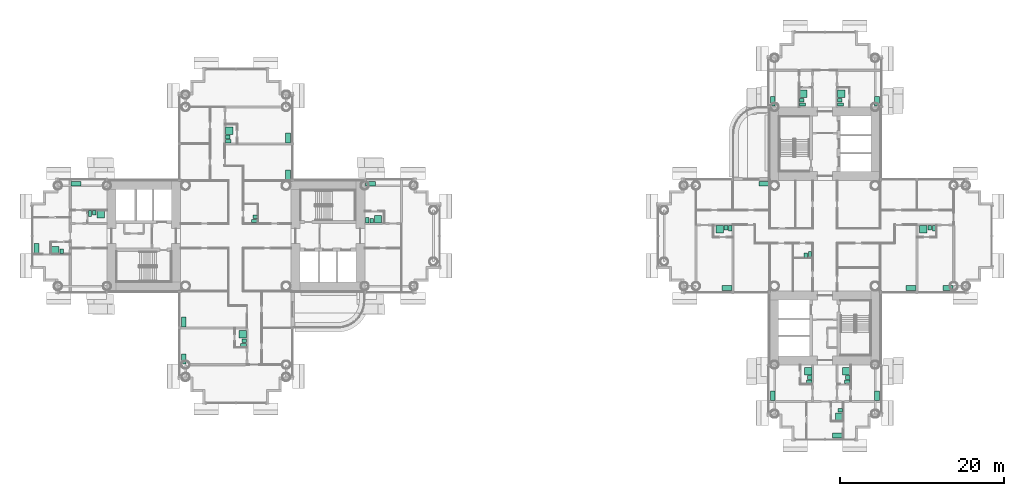
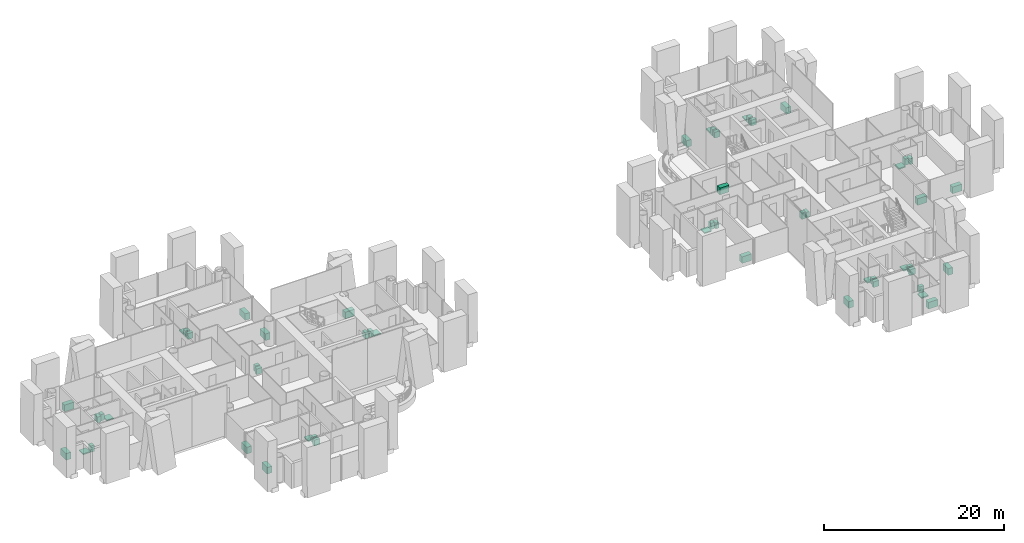
# One storey, part 23 of 23: 54 sanitary terminals.
"""IFC4 building model written with IfcOpenShell, lengths in metres."""

from ifc_helpers import new_model, si_unit, direction, frame, origin, origin_2d, place, context, subcontext, project, spatial, rectangle, extrude, material, type_object, element, save


model = new_model("IFC4")

# Units and contexts
model_context = context("Model", 3, precision=1e-05, world=origin(), true_north=direction((0.0, 1.0)))
body_context = subcontext(model_context, "Body", "Model", "MODEL_VIEW")
ifc_project = project(units=[si_unit("LENGTHUNIT", "METRE"), si_unit("AREAUNIT", "SQUARE_METRE"), si_unit("VOLUMEUNIT", "CUBIC_METRE"), si_unit("PLANEANGLEUNIT", "RADIAN"), si_unit("MASSUNIT", "GRAM", prefix="KILO")], contexts=[model_context])

# Site, building, storey
site_placement = place(None, origin())
site = spatial("IfcSite", under=ifc_project, at=site_placement, CompositionType="ELEMENT")
building_placement = place(site_placement, origin())
building = spatial("IfcBuilding", under=site, at=building_placement, Name="Ipe Terrace Towers", CompositionType="ELEMENT")
storey_placement = place(building_placement, frame((0.0, 0.0, 44.89990234375)))
storey = spatial("IfcBuildingStorey", under=building, at=storey_placement, Name="L11", CompositionType="ELEMENT", Elevation=44.89990234375)

# Sanitary terminals
ifc_material_1 = material(Name="Stainless sink unit", Category="metal")
sanitary_terminal_type_1 = type_object("IfcSanitaryTerminalType", Name="Kitchen sink unit", PredefinedType="SINK", material=ifc_material_1)
for number, where, z_axis, x_axis, name in (
    (1, (-29.6201171875, 7.469970703125, 0.000244140625), (0.0, 0.0, 1.0), (0.0, -1.0, 0.0), "Kitchen sink unit"),
    (2, (-29.6201171875, 11.969970703125, 0.000244140625), (0.0, 0.0, 1.0), (0.0, -1.0, 0.0), "Kitchen sink unit"),
    (3, (-42.3798828125, -10.530029296875, 0.000244140625), (0.0, 0.0, 1.0), (0.0, 1.0, 0.0), "Kitchen sink unit"),
    (4, (-42.3798828125, -15.030029296875, 0.000244140625), (0.0, 0.0, 1.0), (0.0, 1.0, 0.0), "Kitchen sink unit"),
    (5, (-19.530029296875, 6.3798828125, 0.000244140625), (0.0, 0.0, 1.0), (1.0, 0.0, 0.0), "Kitchen sink unit"),
    (6, (-55.530029296875, 6.3798828125, 0.000244140625), (0.0, 0.0, 1.0), (1.0, 0.0, 0.0), "Kitchen sink unit"),
    (7, (-60.3798828125, -1.530029296875, 0.000244140625), (0.0, 0.0, 1.0), (0.0, 1.0, 0.0), "Kitchen sink unit"),
    (8, (24.030029296875, -6.3798828125, 0.000244140625), (0.0, 0.0, 1.0), (-1.0, 0.0, 0.0), "Kitchen sink unit"),
    (9, (28.530029296875, 6.3798828125, 0.000244140625), (0.0, 0.0, 1.0), (1.0, 0.0, 0.0), "Kitchen sink unit"),
    (10, (46.530029296875, -6.3798828125, 0.000244140625), (0.0, 0.0, 1.0), (-1.0, 0.0, 0.0), "Kitchen sink unit"),
    (11, (51.030029296875, -6.3798828125, 0.000244140625), (0.0, 0.0, 1.0), (-1.0, 0.0, 0.0), "Kitchen sink unit"),
    (12, (29.6201171875, 16.469970703125, 0.000244140625), (0.0, 0.0, 1.0), (0.0, 1.0, 0.0), "Kitchen sink unit"),
    (13, (42.3798828125, 16.469970703125, 0.000244140625), (0.0, 0.0, 1.0), (0.0, -1.0, 0.0), "Kitchen sink unit"),
    (14, (42.3798828125, -19.530029296875, 0.000244140625), (0.0, 0.0, 1.0), (0.0, -1.0, 0.0), "Kitchen sink unit"),
    (15, (29.6201171875, -19.530029296875, 0.000244140625), (0.0, 0.0, 1.0), (0.0, 1.0, 0.0), "Kitchen sink unit"),
    (16, (37.530029296875, -24.3798828125, 0.000244140625), (0.0, 0.0, 1.0), (-1.0, 0.0, 0.0), "Kitchen sink unit"),
):
    element("IfcSanitaryTerminal", number, at=place(storey_placement, frame(where, z_axis=z_axis, x_axis=x_axis)), inside=storey, type_object=sanitary_terminal_type_1, Name=name, PredefinedType="SINK", context=body_context, shape_type="SweptSolid", body=[
        extrude(rectangle(XDim=1.199951171875, YDim=0.60009765625, at=origin_2d()), origin(), (0.0, 0.0, 1.0), 0.89990234375),
    ])
ifc_material_2 = material(Name="Acrylic", Category="plastic")
sanitary_terminal_type_2 = type_object("IfcSanitaryTerminalType", Name="Shower tray", PredefinedType="SHOWER", material=ifc_material_2)
for number, where, z_axis, x_axis, name in (
    (17, (-36.830078125, 12.8701171875, 0.000244140625), (0.0, 0.0, 1.0), (1.0, 0.0, 0.0), "Shower tray"),
    (18, (-35.169921875, -12.030029296875, 0.000244140625), (0.0, 0.0, 1.0), (-1.0, 0.0, 0.0), "Shower tray"),
    (19, (-18.6298828125, 2.02001953125, 0.000244140625), (0.0, 0.0, 1.0), (0.0, 1.0, 0.0), "Shower tray"),
    (20, (-52.530029296875, 2.6298828125, 0.000244140625), (0.0, 0.0, 1.0), (0.0, -1.0, 0.0), "Shower tray"),
    (21, (-58.080078125, -1.72998046875, 0.000244140625), (0.0, 0.0, 1.0), (0.0, 1.0, 0.0), "Shower tray"),
    (22, (23.1298828125, 0.830078125, 0.000244140625), (0.0, 0.0, 1.0), (0.0, -1.0, 0.0), "Shower tray"),
    (23, (48.030029296875, 0.830078125, 0.000244140625), (0.0, 0.0, 1.0), (0.0, -1.0, 0.0), "Shower tray"),
    (24, (33.3701171875, 17.3701171875, 0.000244140625), (0.0, 0.0, 1.0), (1.0, 0.0, 0.0), "Shower tray"),
    (25, (38.02001953125, 17.3701171875, 0.000244140625), (0.0, 0.0, 1.0), (1.0, 0.0, 0.0), "Shower tray"),
    (26, (38.6298828125, -16.530029296875, 0.000244140625), (0.0, 0.0, 1.0), (-1.0, 0.0, 0.0), "Shower tray"),
    (27, (33.97998046875, -16.530029296875, 0.000244140625), (0.0, 0.0, 1.0), (-1.0, 0.0, 0.0), "Shower tray"),
    (28, (37.72998046875, -22.080078125, 0.000244140625), (0.0, 0.0, 1.0), (-1.0, 0.0, 0.0), "Shower tray"),
):
    element("IfcSanitaryTerminal", number, at=place(storey_placement, frame(where, z_axis=z_axis, x_axis=x_axis)), inside=storey, type_object=sanitary_terminal_type_2, Name=name, PredefinedType="SHOWER", context=body_context, shape_type="SweptSolid", body=[
        extrude(rectangle(XDim=0.89990234375, YDim=0.89990234375, at=origin_2d()), origin(), (0.0, 0.0, 1.0), 0.14990234375),
    ])
ifc_material_3 = material(Name="Vitreous china", Category="ceramic")
sanitary_terminal_type_3 = type_object("IfcSanitaryTerminalType", Name="Wash basin", PredefinedType="WASHHANDBASIN", material=ifc_material_3)
for number, where, z_axis, x_axis, name in (
    (29, (-33.64501953125, 2.344970703125, 0.0), (0.0, 0.0, 1.0), (-1.0, 0.0, 0.0), "Wash basin"),
    (30, (-37.0048828125, 12.094970703125, 0.0), (0.0, 0.0, 1.0), (1.0, 0.0, 0.0), "Wash basin"),
    (31, (-34.9951171875, -12.804931640625, 0.0), (0.0, 0.0, 1.0), (-1.0, 0.0, 0.0), "Wash basin"),
    (32, (-19.405029296875, 1.844970703125, 0.0), (0.0, 0.0, 1.0), (0.0, 1.0, 0.0), "Wash basin"),
    (33, (-53.304931640625, 2.804931640625, 0.0), (0.0, 0.0, 1.0), (0.0, -1.0, 0.0), "Wash basin"),
    (34, (-57.304931640625, -1.905029296875, 0.0), (0.0, 0.0, 1.0), (0.0, 1.0, 0.0), "Wash basin"),
    (35, (33.655029296875, -2.35498046875, 0.0), (0.0, 0.0, 1.0), (0.0, 1.0, 0.0), "Wash basin"),
    (36, (23.905029296875, 1.0048828125, 0.0), (0.0, 0.0, 1.0), (0.0, -1.0, 0.0), "Wash basin"),
    (37, (48.804931640625, 1.0048828125, 0.0), (0.0, 0.0, 1.0), (0.0, -1.0, 0.0), "Wash basin"),
    (38, (33.195068359375, 16.594970703125, 0.0), (0.0, 0.0, 1.0), (1.0, 0.0, 0.0), "Wash basin"),
    (39, (37.844970703125, 16.594970703125, 0.0), (0.0, 0.0, 1.0), (1.0, 0.0, 0.0), "Wash basin"),
    (40, (38.804931640625, -17.304931640625, 0.0), (0.0, 0.0, 1.0), (-1.0, 0.0, 0.0), "Wash basin"),
    (41, (34.155029296875, -17.304931640625, 0.0), (0.0, 0.0, 1.0), (-1.0, 0.0, 0.0), "Wash basin"),
    (42, (37.905029296875, -21.304931640625, 0.0), (0.0, 0.0, 1.0), (-1.0, 0.0, 0.0), "Wash basin"),
):
    element("IfcSanitaryTerminal", number, at=place(storey_placement, frame(where, z_axis=z_axis, x_axis=x_axis)), inside=storey, type_object=sanitary_terminal_type_3, Name=name, PredefinedType="WASHHANDBASIN", context=body_context, shape_type="SweptSolid", body=[
        extrude(rectangle(XDim=0.550048828125, YDim=0.449951171875, at=origin_2d()), origin(), (0.0, 0.0, 1.0), 0.85009765625),
    ])
ifc_material_4 = material(Name="Vitreous china", Category="ceramic")
sanitary_terminal_type_4 = type_object("IfcSanitaryTerminalType", Name="Water closet", PredefinedType="TOILETPAN", material=ifc_material_4)
for number, where, z_axis, x_axis, name in (
    (43, (-33.719970703125, 1.820068359375, 0.0), (0.0, 0.0, 1.0), (-1.0, 0.0, 0.0), "Water closet"),
    (44, (-36.929931640625, 11.570068359375, 0.0), (0.0, 0.0, 1.0), (1.0, 0.0, 0.0), "Water closet"),
    (45, (-35.070068359375, -13.330078125, 0.0), (0.0, 0.0, 1.0), (-1.0, 0.0, 0.0), "Water closet"),
    (46, (-19.929931640625, 1.919921875, 0.0), (0.0, 0.0, 1.0), (0.0, 1.0, 0.0), "Water closet"),
    (47, (-53.830078125, 2.72998046875, 0.0), (0.0, 0.0, 1.0), (0.0, -1.0, 0.0), "Water closet"),
    (48, (34.179931640625, -2.280029296875, 0.0), (0.0, 0.0, 1.0), (0.0, 1.0, 0.0), "Water closet"),
    (49, (24.429931640625, 0.929931640625, 0.0), (0.0, 0.0, 1.0), (0.0, -1.0, 0.0), "Water closet"),
    (50, (49.330078125, 0.929931640625, 0.0), (0.0, 0.0, 1.0), (0.0, -1.0, 0.0), "Water closet"),
    (51, (33.27001953125, 16.070068359375, 0.0), (0.0, 0.0, 1.0), (1.0, 0.0, 0.0), "Water closet"),
    (52, (37.919921875, 16.070068359375, 0.0), (0.0, 0.0, 1.0), (1.0, 0.0, 0.0), "Water closet"),
    (53, (38.72998046875, -17.830078125, 0.0), (0.0, 0.0, 1.0), (-1.0, 0.0, 0.0), "Water closet"),
    (54, (34.080078125, -17.830078125, 0.0), (0.0, 0.0, 1.0), (-1.0, 0.0, 0.0), "Water closet"),
):
    element("IfcSanitaryTerminal", number, at=place(storey_placement, frame(where, z_axis=z_axis, x_axis=x_axis)), inside=storey, type_object=sanitary_terminal_type_4, Name=name, PredefinedType="TOILETPAN", context=body_context, shape_type="SweptSolid", body=[
        extrude(rectangle(XDim=0.699951171875, YDim=0.39990234375, at=origin_2d()), origin(), (0.0, 0.0, 1.0), 0.780029296875),
    ])

save(model, "model.ifc")
